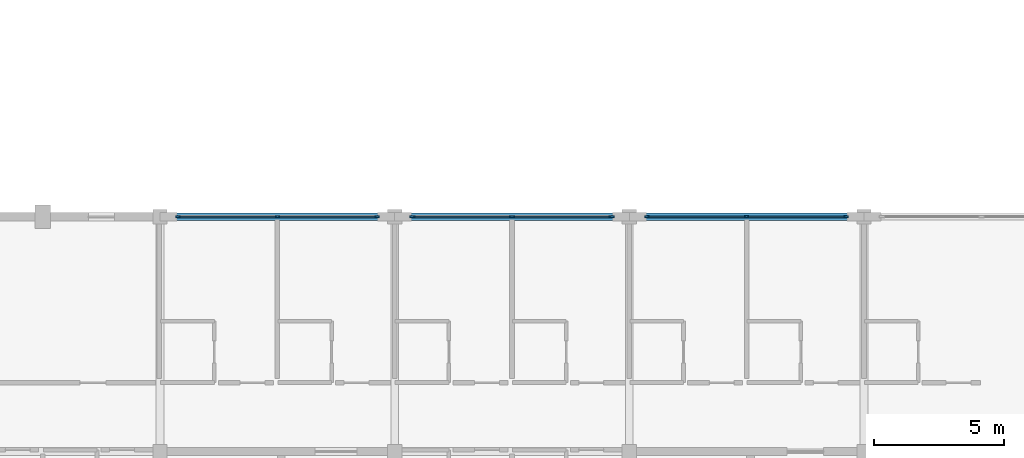
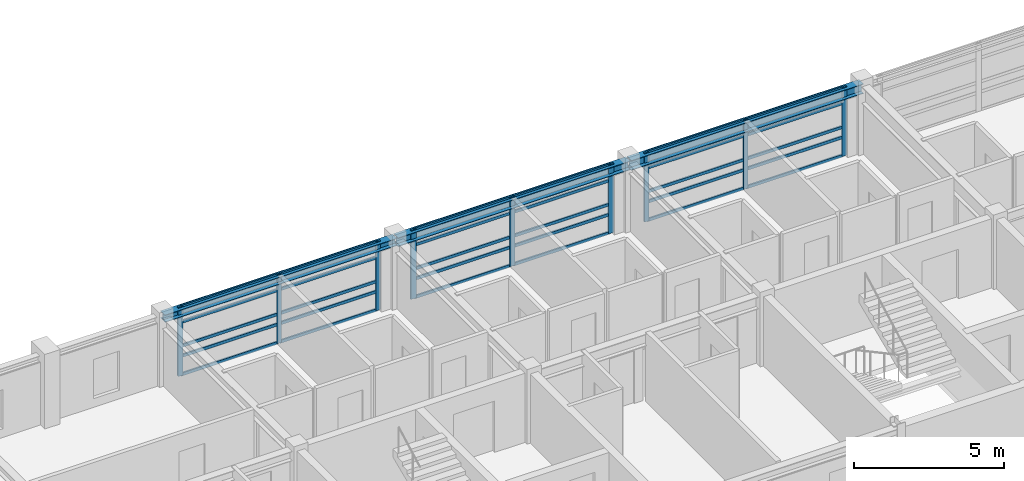
# One storey, part 9 of 37: 39 members, 3 beams, 3 elements without a shape of their own.
"""IFC4 building model written with IfcOpenShell, lengths in metres."""

from ifc_helpers import new_model, si_unit, direction, frame, origin, origin_2d, place, context, subcontext, project, spatial, rectangle, i_section, extrude, material, material_profile, profile_set, type_object, element, aggregate, save


model = new_model("IFC4")

# Units and contexts
model_context = context("Model", 3, precision=1e-05, world=origin(), true_north=direction((0.0, 1.0)))
body_context = subcontext(model_context, "Body", "Model", "MODEL_VIEW")
ifc_project = project(units=[si_unit("LENGTHUNIT", "METRE"), si_unit("AREAUNIT", "SQUARE_METRE"), si_unit("VOLUMEUNIT", "CUBIC_METRE"), si_unit("PLANEANGLEUNIT", "RADIAN"), si_unit("MASSUNIT", "GRAM", prefix="KILO")], contexts=[model_context])

# Site, building, storey
site_placement = place(None, origin())
site = spatial("IfcSite", under=ifc_project, at=site_placement, CompositionType="ELEMENT")
building_placement = place(site_placement, origin())
building = spatial("IfcBuilding", under=site, at=building_placement, Name="Palais des Congres Ocreval", CompositionType="ELEMENT")
storey_placement = place(building_placement, frame((0.0, 0.0, 11.52001953125)))
storey = spatial("IfcBuildingStorey", under=building, at=storey_placement, Name="L03", CompositionType="ELEMENT", Elevation=11.52001953125)

# Curtain wall, members
ifc_material_1 = material(Name="Anodized bronze aluminium and low-E glass", Category="glass")
curtain_wall_type = type_object("IfcCurtainWallType", Name="Unitised Curtain Wall 7900x2820", PredefinedType="USERDEFINED", material=ifc_material_1)
curtain_wall_1_placement = place(storey_placement, origin())
curtain_wall_1 = element("IfcCurtainWall", 1, at=curtain_wall_1_placement, inside=storey, type_object=curtain_wall_type, Name="Unitised Curtain Wall CW04 L03", ObjectType="UNITISED CURTAIN WALL", PredefinedType="USERDEFINED")
ifc_material_2 = material(Name="Anodized bronze aluminium", Category="aluminium")
ifc_material_profile_1 = material_profile(ifc_material_2, rectangle(XDim=0.06494140625, YDim=0.179931640625, at=origin_2d()), Name="ALU 65x180")
ifc_profile_set_1 = profile_set([ifc_material_profile_1], Name="Anodized bronze aluminium")
member_type_1 = type_object("IfcMemberType", Name="Curtain Wall Mullion ALU 65x180", PredefinedType="MULLION", material=ifc_profile_set_1)
member_1_placement = place(storey_placement, frame((36.6826171875, 18.0, 0.0), z_axis=(0.0, 0.0, 1.0), x_axis=(0.0, 1.0, 0.0)))
member_1 = element("IfcMember", 2, at=member_1_placement, type_object=member_type_1, Name="Curtain Wall Mullion ML03", PredefinedType="MULLION", context=body_context, shape_type="SweptSolid", body=[
    extrude(rectangle(XDim=0.06494140625, YDim=0.179931640625, at=origin_2d()), origin(), (0.0, 0.0, 1.0), 2.820068359375),
])
member_2_placement = place(storey_placement, frame((40.5, 18.0, 0.0), z_axis=(0.0, 0.0, 1.0), x_axis=(0.0, 1.0, 0.0)))
member_2 = element("IfcMember", 3, at=member_2_placement, type_object=member_type_1, Name="Curtain Wall Mullion ML03", PredefinedType="MULLION", context=body_context, shape_type="SweptSolid", body=[
    extrude(rectangle(XDim=0.06494140625, YDim=0.179931640625, at=origin_2d()), origin(), (0.0, 0.0, 1.0), 2.820068359375),
])
member_3_placement = place(storey_placement, frame((44.3173828125, 18.0, 0.0), z_axis=(0.0, 0.0, 1.0), x_axis=(0.0, 1.0, 0.0)))
member_3 = element("IfcMember", 4, at=member_3_placement, type_object=member_type_1, Name="Curtain Wall Mullion ML03", PredefinedType="MULLION", context=body_context, shape_type="SweptSolid", body=[
    extrude(rectangle(XDim=0.06494140625, YDim=0.179931640625, at=origin_2d()), origin(), (0.0, 0.0, 1.0), 2.820068359375),
])

curtain_wall_2_placement = place(storey_placement, origin())
curtain_wall_2 = element("IfcCurtainWall", 5, at=curtain_wall_2_placement, inside=storey, type_object=curtain_wall_type, Name="Unitised Curtain Wall CW04 L03", ObjectType="UNITISED CURTAIN WALL", PredefinedType="USERDEFINED")
member_4_placement = place(storey_placement, frame((54.6826171875, 18.0, 0.0), z_axis=(0.0, 0.0, 1.0), x_axis=(0.0, 1.0, 0.0)))
member_4 = element("IfcMember", 6, at=member_4_placement, type_object=member_type_1, Name="Curtain Wall Mullion ML03", PredefinedType="MULLION", context=body_context, shape_type="SweptSolid", body=[
    extrude(rectangle(XDim=0.06494140625, YDim=0.179931640625, at=origin_2d()), origin(), (0.0, 0.0, 1.0), 2.820068359375),
])
member_5_placement = place(storey_placement, frame((58.5, 18.0, 0.0), z_axis=(0.0, 0.0, 1.0), x_axis=(0.0, 1.0, 0.0)))
member_5 = element("IfcMember", 7, at=member_5_placement, type_object=member_type_1, Name="Curtain Wall Mullion ML03", PredefinedType="MULLION", context=body_context, shape_type="SweptSolid", body=[
    extrude(rectangle(XDim=0.06494140625, YDim=0.179931640625, at=origin_2d()), origin(), (0.0, 0.0, 1.0), 2.820068359375),
])
member_6_placement = place(storey_placement, frame((62.3173828125, 18.0, 0.0), z_axis=(0.0, 0.0, 1.0), x_axis=(0.0, 1.0, 0.0)))
member_6 = element("IfcMember", 8, at=member_6_placement, type_object=member_type_1, Name="Curtain Wall Mullion ML03", PredefinedType="MULLION", context=body_context, shape_type="SweptSolid", body=[
    extrude(rectangle(XDim=0.06494140625, YDim=0.179931640625, at=origin_2d()), origin(), (0.0, 0.0, 1.0), 2.820068359375),
])

curtain_wall_3_placement = place(storey_placement, origin())
curtain_wall_3 = element("IfcCurtainWall", 9, at=curtain_wall_3_placement, inside=storey, type_object=curtain_wall_type, Name="Unitised Curtain Wall CW04 L03", ObjectType="UNITISED CURTAIN WALL", PredefinedType="USERDEFINED")
ifc_material_profile_2 = material_profile(ifc_material_2, rectangle(XDim=0.070068359375, YDim=0.2099609375, at=origin_2d()), Name="ALU 70x210")
ifc_profile_set_2 = profile_set([ifc_material_profile_2], Name="Anodized bronze aluminium")
member_type_2 = type_object("IfcMemberType", Name="Curtain Wall Mullion ALU 70x210", PredefinedType="MULLION", material=ifc_profile_set_2)
member_7_placement = place(storey_placement, frame((45.68505859375, 18.0, 0.0), z_axis=(0.0, 0.0, 1.0), x_axis=(0.0, 1.0, 0.0)))
member_7 = element("IfcMember", 10, at=member_7_placement, type_object=member_type_2, Name="Curtain Wall Mullion ML02", PredefinedType="MULLION", context=body_context, shape_type="SweptSolid", body=[
    extrude(rectangle(XDim=0.070068359375, YDim=0.2099609375, at=origin_2d()), origin(), (0.0, 0.0, 1.0), 2.820068359375),
])
member_8_placement = place(storey_placement, frame((49.5, 18.0, 0.0), z_axis=(0.0, 0.0, 1.0), x_axis=(0.0, 1.0, 0.0)))
member_8 = element("IfcMember", 11, at=member_8_placement, type_object=member_type_2, Name="Curtain Wall Mullion ML02", PredefinedType="MULLION", context=body_context, shape_type="SweptSolid", body=[
    extrude(rectangle(XDim=0.070068359375, YDim=0.2099609375, at=origin_2d()), origin(), (0.0, 0.0, 1.0), 2.820068359375),
])
member_9_placement = place(storey_placement, frame((53.31494140625, 18.0, 0.0), z_axis=(0.0, 0.0, 1.0), x_axis=(0.0, 1.0, 0.0)))
member_9 = element("IfcMember", 12, at=member_9_placement, type_object=member_type_2, Name="Curtain Wall Mullion ML02", PredefinedType="MULLION", context=body_context, shape_type="SweptSolid", body=[
    extrude(rectangle(XDim=0.070068359375, YDim=0.2099609375, at=origin_2d()), origin(), (0.0, 0.0, 1.0), 2.820068359375),
])

# Member
ifc_material_profile_3 = material_profile(ifc_material_2, rectangle(XDim=0.06005859375, YDim=0.1201171875, at=origin_2d()), Name="ALU 60x120")
ifc_profile_set_3 = profile_set([ifc_material_profile_3], Name="Anodized bronze aluminium")
member_type_3 = type_object("IfcMemberType", Name="Curtain Wall Transom ALU 60x120", PredefinedType="USERDEFINED", material=ifc_profile_set_3)
member_10_placement = place(storey_placement, frame((36.715087890625, 18.0, 0.030029296875), z_axis=(1.0, 0.0, 0.0), x_axis=(0.0, 1.0, 0.0)))
member_10 = element("IfcMember", 13, at=member_10_placement, type_object=member_type_3, Name="Curtain Wall Transom TR02", ObjectType="TRANSOM", PredefinedType="USERDEFINED", context=body_context, shape_type="SweptSolid", body=[
    extrude(rectangle(XDim=0.06005859375, YDim=0.1201171875, at=origin_2d()), origin(), (0.0, 0.0, 1.0), 3.75244140625),
])

member_11_placement = place(storey_placement, frame((36.715087890625, 18.0, 0.780029296875), z_axis=(1.0, 0.0, 0.0), x_axis=(0.0, 1.0, 0.0)))
member_11 = element("IfcMember", 14, at=member_11_placement, type_object=member_type_3, Name="Curtain Wall Transom TR02", ObjectType="TRANSOM", PredefinedType="USERDEFINED", context=body_context, shape_type="SweptSolid", body=[
    extrude(rectangle(XDim=0.06005859375, YDim=0.1201171875, at=origin_2d()), origin(), (0.0, 0.0, 1.0), 3.75244140625),
])

member_12_placement = place(storey_placement, frame((36.715087890625, 18.0, 1.193359375), z_axis=(1.0, 0.0, 0.0), x_axis=(0.0, 1.0, 0.0)))
member_12 = element("IfcMember", 15, at=member_12_placement, type_object=member_type_3, Name="Curtain Wall Transom TR02", ObjectType="TRANSOM", PredefinedType="USERDEFINED", context=body_context, shape_type="SweptSolid", body=[
    extrude(rectangle(XDim=0.06005859375, YDim=0.1201171875, at=origin_2d()), origin(), (0.0, 0.0, 1.0), 3.75244140625),
])

member_13_placement = place(storey_placement, frame((36.715087890625, 18.0, 2.169921875), z_axis=(1.0, 0.0, 0.0), x_axis=(0.0, 1.0, 0.0)))
member_13 = element("IfcMember", 16, at=member_13_placement, type_object=member_type_3, Name="Curtain Wall Transom TR02", ObjectType="TRANSOM", PredefinedType="USERDEFINED", context=body_context, shape_type="SweptSolid", body=[
    extrude(rectangle(XDim=0.06005859375, YDim=0.1201171875, at=origin_2d()), origin(), (0.0, 0.0, 1.0), 3.75244140625),
])

member_14_placement = place(storey_placement, frame((36.715087890625, 18.0, 2.7900390625), z_axis=(1.0, 0.0, 0.0), x_axis=(0.0, 1.0, 0.0)))
member_14 = element("IfcMember", 17, at=member_14_placement, type_object=member_type_3, Name="Curtain Wall Transom TR02", ObjectType="TRANSOM", PredefinedType="USERDEFINED", context=body_context, shape_type="SweptSolid", body=[
    extrude(rectangle(XDim=0.06005859375, YDim=0.1201171875, at=origin_2d()), origin(), (0.0, 0.0, 1.0), 3.75244140625),
])

member_15_placement = place(storey_placement, frame((40.532470703125, 18.0, 0.030029296875), z_axis=(1.0, 0.0, 0.0), x_axis=(0.0, 1.0, 0.0)))
member_15 = element("IfcMember", 18, at=member_15_placement, type_object=member_type_3, Name="Curtain Wall Transom TR02", ObjectType="TRANSOM", PredefinedType="USERDEFINED", context=body_context, shape_type="SweptSolid", body=[
    extrude(rectangle(XDim=0.06005859375, YDim=0.1201171875, at=origin_2d()), origin(), (0.0, 0.0, 1.0), 3.75244140625),
])

member_16_placement = place(storey_placement, frame((40.532470703125, 18.0, 0.780029296875), z_axis=(1.0, 0.0, 0.0), x_axis=(0.0, 1.0, 0.0)))
member_16 = element("IfcMember", 19, at=member_16_placement, type_object=member_type_3, Name="Curtain Wall Transom TR02", ObjectType="TRANSOM", PredefinedType="USERDEFINED", context=body_context, shape_type="SweptSolid", body=[
    extrude(rectangle(XDim=0.06005859375, YDim=0.1201171875, at=origin_2d()), origin(), (0.0, 0.0, 1.0), 3.75244140625),
])

member_17_placement = place(storey_placement, frame((40.532470703125, 18.0, 1.193359375), z_axis=(1.0, 0.0, 0.0), x_axis=(0.0, 1.0, 0.0)))
member_17 = element("IfcMember", 20, at=member_17_placement, type_object=member_type_3, Name="Curtain Wall Transom TR02", ObjectType="TRANSOM", PredefinedType="USERDEFINED", context=body_context, shape_type="SweptSolid", body=[
    extrude(rectangle(XDim=0.06005859375, YDim=0.1201171875, at=origin_2d()), origin(), (0.0, 0.0, 1.0), 3.75244140625),
])

member_18_placement = place(storey_placement, frame((40.532470703125, 18.0, 2.169921875), z_axis=(1.0, 0.0, 0.0), x_axis=(0.0, 1.0, 0.0)))
member_18 = element("IfcMember", 21, at=member_18_placement, type_object=member_type_3, Name="Curtain Wall Transom TR02", ObjectType="TRANSOM", PredefinedType="USERDEFINED", context=body_context, shape_type="SweptSolid", body=[
    extrude(rectangle(XDim=0.06005859375, YDim=0.1201171875, at=origin_2d()), origin(), (0.0, 0.0, 1.0), 3.75244140625),
])

member_19_placement = place(storey_placement, frame((40.532470703125, 18.0, 2.7900390625), z_axis=(1.0, 0.0, 0.0), x_axis=(0.0, 1.0, 0.0)))
member_19 = element("IfcMember", 22, at=member_19_placement, type_object=member_type_3, Name="Curtain Wall Transom TR02", ObjectType="TRANSOM", PredefinedType="USERDEFINED", context=body_context, shape_type="SweptSolid", body=[
    extrude(rectangle(XDim=0.06005859375, YDim=0.1201171875, at=origin_2d()), origin(), (0.0, 0.0, 1.0), 3.75244140625),
])

aggregate(curtain_wall_1, [member_1, member_2, member_3, member_10, member_11, member_12, member_13, member_14, member_15, member_16, member_17, member_18, member_19])

member_20_placement = place(storey_placement, frame((45.719970703125, 18.0, 0.030029296875), z_axis=(1.0, 0.0, 0.0), x_axis=(0.0, 1.0, 0.0)))
member_20 = element("IfcMember", 23, at=member_20_placement, type_object=member_type_3, Name="Curtain Wall Transom TR02", ObjectType="TRANSOM", PredefinedType="USERDEFINED", context=body_context, shape_type="SweptSolid", body=[
    extrude(rectangle(XDim=0.06005859375, YDim=0.1201171875, at=origin_2d()), origin(), (0.0, 0.0, 1.0), 3.7451171875),
])

member_21_placement = place(storey_placement, frame((45.719970703125, 18.0, 0.780029296875), z_axis=(1.0, 0.0, 0.0), x_axis=(0.0, 1.0, 0.0)))
member_21 = element("IfcMember", 24, at=member_21_placement, type_object=member_type_3, Name="Curtain Wall Transom TR02", ObjectType="TRANSOM", PredefinedType="USERDEFINED", context=body_context, shape_type="SweptSolid", body=[
    extrude(rectangle(XDim=0.06005859375, YDim=0.1201171875, at=origin_2d()), origin(), (0.0, 0.0, 1.0), 3.7451171875),
])

member_22_placement = place(storey_placement, frame((45.719970703125, 18.0, 1.193359375), z_axis=(1.0, 0.0, 0.0), x_axis=(0.0, 1.0, 0.0)))
member_22 = element("IfcMember", 25, at=member_22_placement, type_object=member_type_3, Name="Curtain Wall Transom TR02", ObjectType="TRANSOM", PredefinedType="USERDEFINED", context=body_context, shape_type="SweptSolid", body=[
    extrude(rectangle(XDim=0.06005859375, YDim=0.1201171875, at=origin_2d()), origin(), (0.0, 0.0, 1.0), 3.7451171875),
])

member_23_placement = place(storey_placement, frame((45.719970703125, 18.0, 2.169921875), z_axis=(1.0, 0.0, 0.0), x_axis=(0.0, 1.0, 0.0)))
member_23 = element("IfcMember", 26, at=member_23_placement, type_object=member_type_3, Name="Curtain Wall Transom TR02", ObjectType="TRANSOM", PredefinedType="USERDEFINED", context=body_context, shape_type="SweptSolid", body=[
    extrude(rectangle(XDim=0.06005859375, YDim=0.1201171875, at=origin_2d()), origin(), (0.0, 0.0, 1.0), 3.7451171875),
])

member_24_placement = place(storey_placement, frame((45.719970703125, 18.0, 2.7900390625), z_axis=(1.0, 0.0, 0.0), x_axis=(0.0, 1.0, 0.0)))
member_24 = element("IfcMember", 27, at=member_24_placement, type_object=member_type_3, Name="Curtain Wall Transom TR02", ObjectType="TRANSOM", PredefinedType="USERDEFINED", context=body_context, shape_type="SweptSolid", body=[
    extrude(rectangle(XDim=0.06005859375, YDim=0.1201171875, at=origin_2d()), origin(), (0.0, 0.0, 1.0), 3.7451171875),
])

member_25_placement = place(storey_placement, frame((49.534912109375, 18.0, 0.030029296875), z_axis=(1.0, 0.0, 0.0), x_axis=(0.0, 1.0, 0.0)))
member_25 = element("IfcMember", 28, at=member_25_placement, type_object=member_type_3, Name="Curtain Wall Transom TR02", ObjectType="TRANSOM", PredefinedType="USERDEFINED", context=body_context, shape_type="SweptSolid", body=[
    extrude(rectangle(XDim=0.06005859375, YDim=0.1201171875, at=origin_2d()), origin(), (0.0, 0.0, 1.0), 3.7451171875),
])

member_26_placement = place(storey_placement, frame((49.534912109375, 18.0, 0.780029296875), z_axis=(1.0, 0.0, 0.0), x_axis=(0.0, 1.0, 0.0)))
member_26 = element("IfcMember", 29, at=member_26_placement, type_object=member_type_3, Name="Curtain Wall Transom TR02", ObjectType="TRANSOM", PredefinedType="USERDEFINED", context=body_context, shape_type="SweptSolid", body=[
    extrude(rectangle(XDim=0.06005859375, YDim=0.1201171875, at=origin_2d()), origin(), (0.0, 0.0, 1.0), 3.7451171875),
])

member_27_placement = place(storey_placement, frame((49.534912109375, 18.0, 1.193359375), z_axis=(1.0, 0.0, 0.0), x_axis=(0.0, 1.0, 0.0)))
member_27 = element("IfcMember", 30, at=member_27_placement, type_object=member_type_3, Name="Curtain Wall Transom TR02", ObjectType="TRANSOM", PredefinedType="USERDEFINED", context=body_context, shape_type="SweptSolid", body=[
    extrude(rectangle(XDim=0.06005859375, YDim=0.1201171875, at=origin_2d()), origin(), (0.0, 0.0, 1.0), 3.7451171875),
])

member_28_placement = place(storey_placement, frame((49.534912109375, 18.0, 2.169921875), z_axis=(1.0, 0.0, 0.0), x_axis=(0.0, 1.0, 0.0)))
member_28 = element("IfcMember", 31, at=member_28_placement, type_object=member_type_3, Name="Curtain Wall Transom TR02", ObjectType="TRANSOM", PredefinedType="USERDEFINED", context=body_context, shape_type="SweptSolid", body=[
    extrude(rectangle(XDim=0.06005859375, YDim=0.1201171875, at=origin_2d()), origin(), (0.0, 0.0, 1.0), 3.7451171875),
])

member_29_placement = place(storey_placement, frame((49.534912109375, 18.0, 2.7900390625), z_axis=(1.0, 0.0, 0.0), x_axis=(0.0, 1.0, 0.0)))
member_29 = element("IfcMember", 32, at=member_29_placement, type_object=member_type_3, Name="Curtain Wall Transom TR02", ObjectType="TRANSOM", PredefinedType="USERDEFINED", context=body_context, shape_type="SweptSolid", body=[
    extrude(rectangle(XDim=0.06005859375, YDim=0.1201171875, at=origin_2d()), origin(), (0.0, 0.0, 1.0), 3.7451171875),
])

aggregate(curtain_wall_3, [member_7, member_8, member_9, member_20, member_21, member_22, member_23, member_24, member_25, member_26, member_27, member_28, member_29])

member_30_placement = place(storey_placement, frame((54.715087890625, 18.0, 0.030029296875), z_axis=(1.0, 0.0, 0.0), x_axis=(0.0, 1.0, 0.0)))
member_30 = element("IfcMember", 33, at=member_30_placement, type_object=member_type_3, Name="Curtain Wall Transom TR02", ObjectType="TRANSOM", PredefinedType="USERDEFINED", context=body_context, shape_type="SweptSolid", body=[
    extrude(rectangle(XDim=0.06005859375, YDim=0.1201171875, at=origin_2d()), origin(), (0.0, 0.0, 1.0), 3.75244140625),
])

member_31_placement = place(storey_placement, frame((54.715087890625, 18.0, 0.780029296875), z_axis=(1.0, 0.0, 0.0), x_axis=(0.0, 1.0, 0.0)))
member_31 = element("IfcMember", 34, at=member_31_placement, type_object=member_type_3, Name="Curtain Wall Transom TR02", ObjectType="TRANSOM", PredefinedType="USERDEFINED", context=body_context, shape_type="SweptSolid", body=[
    extrude(rectangle(XDim=0.06005859375, YDim=0.1201171875, at=origin_2d()), origin(), (0.0, 0.0, 1.0), 3.75244140625),
])

member_32_placement = place(storey_placement, frame((54.715087890625, 18.0, 1.193359375), z_axis=(1.0, 0.0, 0.0), x_axis=(0.0, 1.0, 0.0)))
member_32 = element("IfcMember", 35, at=member_32_placement, type_object=member_type_3, Name="Curtain Wall Transom TR02", ObjectType="TRANSOM", PredefinedType="USERDEFINED", context=body_context, shape_type="SweptSolid", body=[
    extrude(rectangle(XDim=0.06005859375, YDim=0.1201171875, at=origin_2d()), origin(), (0.0, 0.0, 1.0), 3.75244140625),
])

member_33_placement = place(storey_placement, frame((54.715087890625, 18.0, 2.169921875), z_axis=(1.0, 0.0, 0.0), x_axis=(0.0, 1.0, 0.0)))
member_33 = element("IfcMember", 36, at=member_33_placement, type_object=member_type_3, Name="Curtain Wall Transom TR02", ObjectType="TRANSOM", PredefinedType="USERDEFINED", context=body_context, shape_type="SweptSolid", body=[
    extrude(rectangle(XDim=0.06005859375, YDim=0.1201171875, at=origin_2d()), origin(), (0.0, 0.0, 1.0), 3.75244140625),
])

member_34_placement = place(storey_placement, frame((54.715087890625, 18.0, 2.7900390625), z_axis=(1.0, 0.0, 0.0), x_axis=(0.0, 1.0, 0.0)))
member_34 = element("IfcMember", 37, at=member_34_placement, type_object=member_type_3, Name="Curtain Wall Transom TR02", ObjectType="TRANSOM", PredefinedType="USERDEFINED", context=body_context, shape_type="SweptSolid", body=[
    extrude(rectangle(XDim=0.06005859375, YDim=0.1201171875, at=origin_2d()), origin(), (0.0, 0.0, 1.0), 3.75244140625),
])

member_35_placement = place(storey_placement, frame((58.532470703125, 18.0, 0.030029296875), z_axis=(1.0, 0.0, 0.0), x_axis=(0.0, 1.0, 0.0)))
member_35 = element("IfcMember", 38, at=member_35_placement, type_object=member_type_3, Name="Curtain Wall Transom TR02", ObjectType="TRANSOM", PredefinedType="USERDEFINED", context=body_context, shape_type="SweptSolid", body=[
    extrude(rectangle(XDim=0.06005859375, YDim=0.1201171875, at=origin_2d()), origin(), (0.0, 0.0, 1.0), 3.75244140625),
])

member_36_placement = place(storey_placement, frame((58.532470703125, 18.0, 0.780029296875), z_axis=(1.0, 0.0, 0.0), x_axis=(0.0, 1.0, 0.0)))
member_36 = element("IfcMember", 39, at=member_36_placement, type_object=member_type_3, Name="Curtain Wall Transom TR02", ObjectType="TRANSOM", PredefinedType="USERDEFINED", context=body_context, shape_type="SweptSolid", body=[
    extrude(rectangle(XDim=0.06005859375, YDim=0.1201171875, at=origin_2d()), origin(), (0.0, 0.0, 1.0), 3.75244140625),
])

member_37_placement = place(storey_placement, frame((58.532470703125, 18.0, 1.193359375), z_axis=(1.0, 0.0, 0.0), x_axis=(0.0, 1.0, 0.0)))
member_37 = element("IfcMember", 40, at=member_37_placement, type_object=member_type_3, Name="Curtain Wall Transom TR02", ObjectType="TRANSOM", PredefinedType="USERDEFINED", context=body_context, shape_type="SweptSolid", body=[
    extrude(rectangle(XDim=0.06005859375, YDim=0.1201171875, at=origin_2d()), origin(), (0.0, 0.0, 1.0), 3.75244140625),
])

member_38_placement = place(storey_placement, frame((58.532470703125, 18.0, 2.169921875), z_axis=(1.0, 0.0, 0.0), x_axis=(0.0, 1.0, 0.0)))
member_38 = element("IfcMember", 41, at=member_38_placement, type_object=member_type_3, Name="Curtain Wall Transom TR02", ObjectType="TRANSOM", PredefinedType="USERDEFINED", context=body_context, shape_type="SweptSolid", body=[
    extrude(rectangle(XDim=0.06005859375, YDim=0.1201171875, at=origin_2d()), origin(), (0.0, 0.0, 1.0), 3.75244140625),
])

member_39_placement = place(storey_placement, frame((58.532470703125, 18.0, 2.7900390625), z_axis=(1.0, 0.0, 0.0), x_axis=(0.0, 1.0, 0.0)))
member_39 = element("IfcMember", 42, at=member_39_placement, type_object=member_type_3, Name="Curtain Wall Transom TR02", ObjectType="TRANSOM", PredefinedType="USERDEFINED", context=body_context, shape_type="SweptSolid", body=[
    extrude(rectangle(XDim=0.06005859375, YDim=0.1201171875, at=origin_2d()), origin(), (0.0, 0.0, 1.0), 3.75244140625),
])

aggregate(curtain_wall_2, [member_4, member_5, member_6, member_30, member_31, member_32, member_33, member_34, member_35, member_36, member_37, member_38, member_39])

# Beams
ifc_material_3 = material(Name="Steel S355", Category="steel")
ifc_material_profile_4 = material_profile(ifc_material_3, i_section(OverallWidth=0.300048828125, OverallDepth=0.300048828125, WebThickness=0.010986328125, FlangeThickness=0.01904296875, at=origin_2d()), Name="HEB 300")
ifc_profile_set_4 = profile_set([ifc_material_profile_4], Name="Steel S355")
beam_type_1 = type_object("IfcBeamType", Name="Perimeter Spandrel HEB 300 Steel S355", PredefinedType="SPANDREL", material=ifc_profile_set_4)
beam_1_placement = place(storey_placement, frame((36.02001953125, 18.0, 2.6298828125), z_axis=(1.0, 0.0, 0.0), x_axis=(0.0, 1.0, 0.0)))
element("IfcBeam", 43, at=beam_1_placement, inside=storey, type_object=beam_type_1, Name="Beam SP02 L03", PredefinedType="SPANDREL", context=body_context, shape_type="SweptSolid", body=[
    extrude(i_section(OverallWidth=0.300048828125, OverallDepth=0.300048828125, WebThickness=0.010986328125, FlangeThickness=0.01904296875, at=origin_2d()), origin(), (0.0, 0.0, 1.0), 8.9599609375),
])
ifc_material_profile_5 = material_profile(ifc_material_3, i_section(OverallWidth=0.300048828125, OverallDepth=0.360107421875, WebThickness=0.012451171875, FlangeThickness=0.0224609375, at=origin_2d()), Name="HEB 360")
ifc_profile_set_5 = profile_set([ifc_material_profile_5], Name="Steel S355")
beam_type_2 = type_object("IfcBeamType", Name="Perimeter Spandrel HEB 360 Steel S355", PredefinedType="SPANDREL", material=ifc_profile_set_5)
beam_2_placement = place(storey_placement, frame((45.02001953125, 18.0, 2.60009765625), z_axis=(1.0, 0.0, 0.0), x_axis=(0.0, 1.0, 0.0)))
element("IfcBeam", 44, at=beam_2_placement, inside=storey, type_object=beam_type_2, Name="Beam SP03 L03", PredefinedType="SPANDREL", context=body_context, shape_type="SweptSolid", body=[
    extrude(i_section(OverallWidth=0.300048828125, OverallDepth=0.360107421875, WebThickness=0.012451171875, FlangeThickness=0.0224609375, at=origin_2d()), origin(), (0.0, 0.0, 1.0), 8.9599609375),
])
ifc_material_profile_6 = material_profile(ifc_material_3, i_section(OverallWidth=0.300048828125, OverallDepth=0.39990234375, WebThickness=0.013427734375, FlangeThickness=0.02392578125, at=origin_2d()), Name="HEB 400")
ifc_profile_set_6 = profile_set([ifc_material_profile_6], Name="Steel S355")
beam_type_3 = type_object("IfcBeamType", Name="Perimeter Spandrel HEB 400 Steel S355", PredefinedType="SPANDREL", material=ifc_profile_set_6)
beam_3_placement = place(storey_placement, frame((54.02001953125, 18.0, 2.580078125), z_axis=(1.0, 0.0, 0.0), x_axis=(0.0, 1.0, 0.0)))
element("IfcBeam", 45, at=beam_3_placement, inside=storey, type_object=beam_type_3, Name="Beam SP04 L03", PredefinedType="SPANDREL", context=body_context, shape_type="SweptSolid", body=[
    extrude(i_section(OverallWidth=0.300048828125, OverallDepth=0.39990234375, WebThickness=0.013427734375, FlangeThickness=0.02392578125, at=origin_2d()), origin(), (0.0, 0.0, 1.0), 8.9599609375),
])

save(model, "model.ifc")
